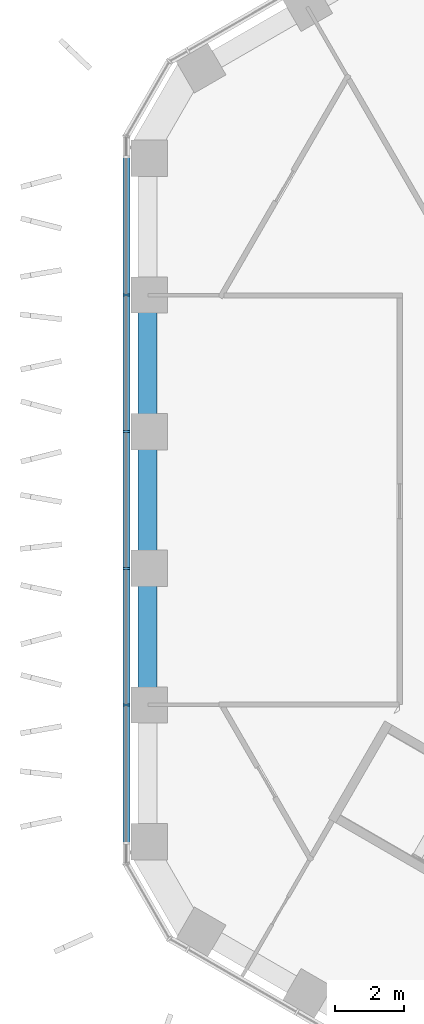
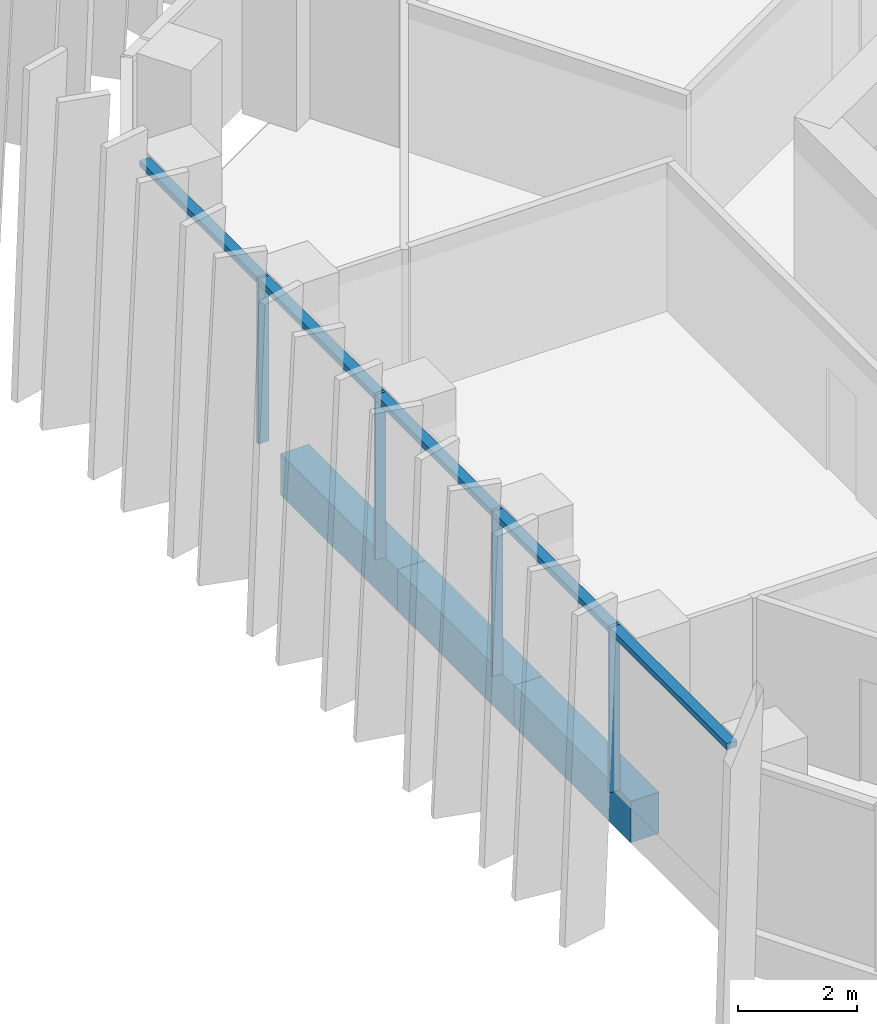
# One storey, part 4 of 19: 5 members, 3 beams, 1 element without a shape of its own.
"""IFC4 building model written with IfcOpenShell, lengths in metres."""

from ifc_helpers import new_model, si_unit, direction, frame, origin, origin_2d, place, context, subcontext, project, spatial, rectangle, extrude, material, layer, layer_set, material_profile, profile_set, type_object, element, aggregate, save


model = new_model("IFC4")

# Units and contexts
model_context = context("Model", 3, precision=1e-05, world=origin(), true_north=direction((0.0, 1.0)))
body_context = subcontext(model_context, "Body", "Model", "MODEL_VIEW")
ifc_project = project(units=[si_unit("LENGTHUNIT", "METRE"), si_unit("AREAUNIT", "SQUARE_METRE"), si_unit("VOLUMEUNIT", "CUBIC_METRE"), si_unit("PLANEANGLEUNIT", "RADIAN"), si_unit("MASSUNIT", "GRAM", prefix="KILO")], contexts=[model_context])

# Site, building, storey
site_placement = place(None, origin())
site = spatial("IfcSite", under=ifc_project, at=site_placement, CompositionType="ELEMENT")
building_placement = place(site_placement, origin())
building = spatial("IfcBuilding", under=site, at=building_placement, Name="Ayvan Gate Tower", CompositionType="ELEMENT")
storey_placement = place(building_placement, frame((0.0, 0.0, 113.699951171875)))
storey = spatial("IfcBuildingStorey", under=building, at=storey_placement, Name="L30", CompositionType="ELEMENT", Elevation=113.699951171875)

# Beams
ifc_material_1 = material(Name="Concrete C40/50", Category="concrete")
ifc_material_profile_1 = material_profile(ifc_material_1, rectangle(XDim=0.550048828125, YDim=0.85009765625, at=origin_2d()), Name="RC 550x850")
ifc_profile_set_1 = profile_set([ifc_material_profile_1], Name="Concrete C40/50")
beam_type = type_object("IfcBeamType", Name="Spandrel beam RC 550x850 C40/50", PredefinedType="BEAM", material=ifc_profile_set_1)
beam_1_placement = place(storey_placement, frame((-18.965087890625, 5.89111328125, -0.77490234375), z_axis=(0.0, -1.0, 0.0), x_axis=(1.0, 0.0, 0.0)))
element("IfcBeam", 1, at=beam_1_placement, inside=storey, type_object=beam_type, Name="SB-L30-20", PredefinedType="BEAM", context=body_context, shape_type="SweptSolid", body=[
    extrude(rectangle(XDim=0.550048828125, YDim=0.85009765625, at=origin_2d()), origin(), (0.0, 0.0, 1.0), 3.927490234375),
])
beam_2_placement = place(storey_placement, frame((-18.965087890625, 1.963623046875, -0.77490234375), z_axis=(0.0, -1.0, 0.0), x_axis=(1.0, 0.0, 0.0)))
element("IfcBeam", 2, at=beam_2_placement, inside=storey, type_object=beam_type, Name="SB-L30-21", PredefinedType="BEAM", context=body_context, shape_type="SweptSolid", body=[
    extrude(rectangle(XDim=0.550048828125, YDim=0.85009765625, at=origin_2d()), origin(), (0.0, 0.0, 1.0), 3.92724609375),
])
beam_3_placement = place(storey_placement, frame((-18.965087890625, -1.963623046875, -0.77490234375), z_axis=(0.0, -1.0, 0.0), x_axis=(1.0, 0.0, 0.0)))
element("IfcBeam", 3, at=beam_3_placement, inside=storey, type_object=beam_type, Name="SB-L30-22", PredefinedType="BEAM", context=body_context, shape_type="SweptSolid", body=[
    extrude(rectangle(XDim=0.550048828125, YDim=0.85009765625, at=origin_2d()), origin(), (0.0, 0.0, 1.0), 3.927490234375),
])

# Curtain wall, members
ifc_material_2 = material(Name="Bronze anodised aluminium", Category="aluminium")
ifc_layer = layer(ifc_material_2, 0.199951171875)
ifc_layer_set = layer_set([ifc_layer], Name="Bronze anodised aluminium")
curtain_wall_type = type_object("IfcCurtainWallType", Name="Stick curtain wall CW-1", PredefinedType="NOTDEFINED", material=ifc_layer_set)
curtain_wall_placement = place(storey_placement, origin())
curtain_wall = element("IfcCurtainWall", 4, at=curtain_wall_placement, inside=storey, type_object=curtain_wall_type, Name="Stick curtain wall CW-1 L30", PredefinedType="NOTDEFINED")
ifc_material_profile_2 = material_profile(ifc_material_2, rectangle(XDim=0.199951171875, YDim=0.06005859375, at=origin_2d()), Name="Stick curtain wall CW-1 mullion 200 x 60")
ifc_profile_set_2 = profile_set([ifc_material_profile_2], Name="Bronze anodised aluminium")
member_type_1 = type_object("IfcMemberType", Name="Stick curtain wall CW-1 mullion 200 x 60", PredefinedType="MULLION", material=ifc_profile_set_2)
member_1_placement = place(storey_placement, frame((-19.576416015625, 5.905517578125, 0.0), z_axis=(0.0, 0.0, 1.0), x_axis=(-1.0, 0.0, 0.0)))
member_1 = element("IfcMember", 5, at=member_1_placement, type_object=member_type_1, Name="CW-1 mullion 2", PredefinedType="MULLION", context=body_context, shape_type="SweptSolid", body=[
    extrude(rectangle(XDim=0.199951171875, YDim=0.06005859375, at=origin_2d()), origin(), (0.0, 0.0, 1.0), 3.400146484375),
])
member_2_placement = place(storey_placement, frame((-19.576416015625, 1.968505859375, 0.0), z_axis=(0.0, 0.0, 1.0), x_axis=(-1.0, 0.0, 0.0)))
member_2 = element("IfcMember", 6, at=member_2_placement, type_object=member_type_1, Name="CW-1 mullion 3", PredefinedType="MULLION", context=body_context, shape_type="SweptSolid", body=[
    extrude(rectangle(XDim=0.199951171875, YDim=0.06005859375, at=origin_2d()), origin(), (0.0, 0.0, 1.0), 3.400146484375),
])
member_3_placement = place(storey_placement, frame((-19.576416015625, -1.968505859375, 0.0), z_axis=(0.0, 0.0, 1.0), x_axis=(-1.0, 0.0, 0.0)))
member_3 = element("IfcMember", 7, at=member_3_placement, type_object=member_type_1, Name="CW-1 mullion 4", PredefinedType="MULLION", context=body_context, shape_type="SweptSolid", body=[
    extrude(rectangle(XDim=0.199951171875, YDim=0.06005859375, at=origin_2d()), origin(), (0.0, 0.0, 1.0), 3.400146484375),
])
member_4_placement = place(storey_placement, frame((-19.576416015625, -5.906494140625, 0.0), z_axis=(0.0, 0.0, 1.0), x_axis=(-1.0, 0.0, 0.0)))
member_4 = element("IfcMember", 8, at=member_4_placement, type_object=member_type_1, Name="CW-1 mullion 5", PredefinedType="MULLION", context=body_context, shape_type="SweptSolid", body=[
    extrude(rectangle(XDim=0.199951171875, YDim=0.06005859375, at=origin_2d()), origin(), (0.0, 0.0, 1.0), 3.400146484375),
])
ifc_material_profile_3 = material_profile(ifc_material_2, rectangle(XDim=0.199951171875, YDim=0.1201171875, at=origin_2d()), Name="Stick curtain wall CW-1 transom 200 x 120")
ifc_profile_set_3 = profile_set([ifc_material_profile_3], Name="Bronze anodised aluminium")
member_type_2 = type_object("IfcMemberType", Name="Stick curtain wall CW-1 transom 200 x 120", PredefinedType="USERDEFINED", material=ifc_profile_set_3)
member_5_placement = place(storey_placement, frame((-19.576416015625, 9.878662109375, 3.340087890625), z_axis=(0.0, -1.0, 0.0), x_axis=(1.0, 0.0, 0.0)))
member_5 = element("IfcMember", 9, at=member_5_placement, type_object=member_type_2, Name="CW-1 transom 1", ObjectType="TRANSOM", PredefinedType="USERDEFINED", context=body_context, shape_type="SweptSolid", body=[
    extrude(rectangle(XDim=0.199951171875, YDim=0.1201171875, at=origin_2d()), origin(), (0.0, 0.0, 1.0), 19.75732421875),
])
aggregate(curtain_wall, [member_1, member_2, member_3, member_4, member_5])

save(model, "model.ifc")
